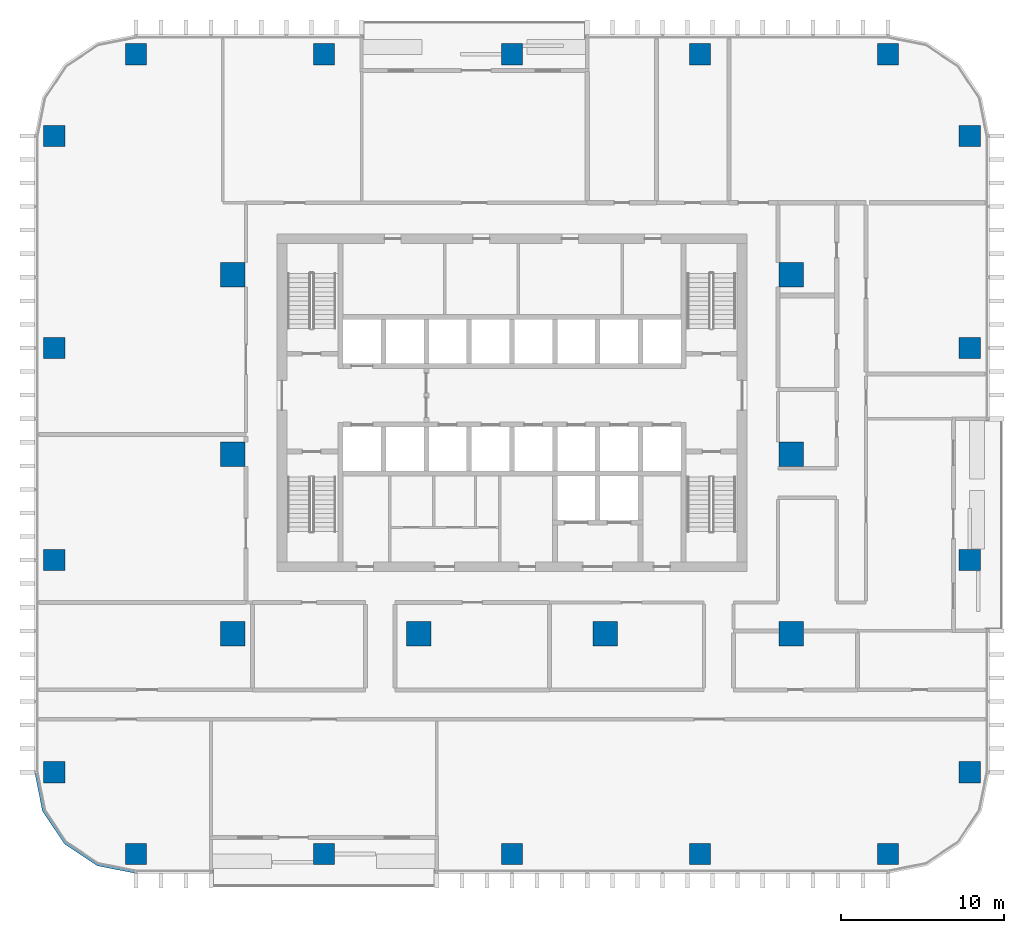
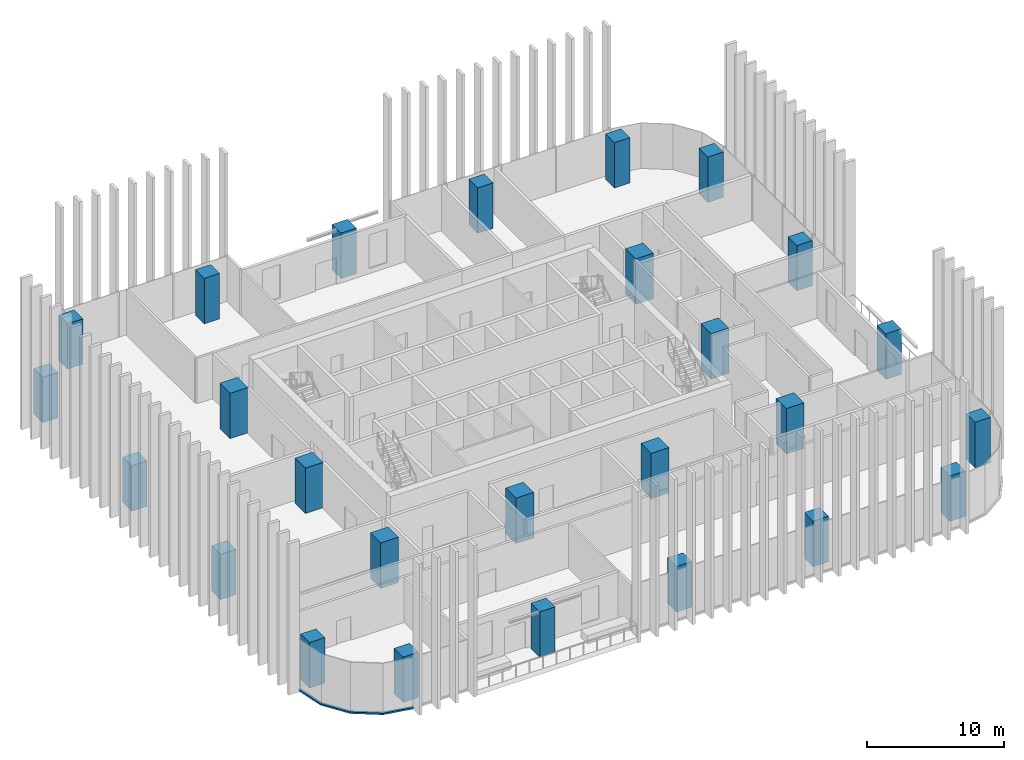
# One storey, part 1 of 17: 26 columns, 1 member, 1 element without a shape of its own.
"""IFC4 building model written with IfcOpenShell, lengths in metres."""

from ifc_helpers import new_model, si_unit, direction, frame, origin, origin_2d, place, context, subcontext, project, spatial, polyline, rectangle, outline, extrude, material, material_profile, profile_set, type_object, element, aggregate, save


model = new_model("IFC4")

# Units and contexts
model_context = context("Model", 3, precision=1e-05, world=origin(), true_north=direction((0.0, 1.0)))
body_context = subcontext(model_context, "Body", "Model", "MODEL_VIEW")
ifc_project = project(units=[si_unit("LENGTHUNIT", "METRE"), si_unit("AREAUNIT", "SQUARE_METRE"), si_unit("VOLUMEUNIT", "CUBIC_METRE"), si_unit("PLANEANGLEUNIT", "RADIAN"), si_unit("MASSUNIT", "GRAM", prefix="KILO")], contexts=[model_context])

# Site, building, storey
site_placement = place(None, origin())
site = spatial("IfcSite", under=ifc_project, at=site_placement, CompositionType="ELEMENT")
building_placement = place(site_placement, origin())
building = spatial("IfcBuilding", under=site, at=building_placement, Name="Mopane Tessera Tower", CompositionType="ELEMENT")
storey_placement = place(building_placement, frame((0.0, 0.0, 121.60009765625)))
storey = spatial("IfcBuildingStorey", under=building, at=storey_placement, Name="L24", CompositionType="ELEMENT", Elevation=121.60009765625)

# Columns
ifc_material_1 = material(Name="Concrete C60/75", Category="concrete")
ifc_material_profile_1 = material_profile(ifc_material_1, rectangle(XDim=1.5, YDim=1.5, at=origin_2d()))
ifc_profile_set_1 = profile_set([ifc_material_profile_1], Name="Concrete C60/75")
column_type_1 = type_object("IfcColumnType", Name="Interior column 1500 x 1500 C60/75", PredefinedType="COLUMN", material=ifc_profile_set_1)
for number, where, z_axis, x_axis, name in (
    (1, (-17.10009765625, -11.0, 0.0), (0.0, 0.0, 1.0), (1.0, 0.0, 0.0), "Interior column I1A L24"),
    (2, (-17.10009765625, 0.0, 0.0), (0.0, 0.0, 1.0), (1.0, 0.0, 0.0), "Interior column I1B L24"),
    (3, (-17.10009765625, 11.0, 0.0), (0.0, 0.0, 1.0), (1.0, 0.0, 0.0), "Interior column I1C L24"),
    (4, (-5.699951171875, -11.0, 0.0), (0.0, 0.0, 1.0), (1.0, 0.0, 0.0), "Interior column I2A L24"),
    (5, (5.699951171875, -11.0, 0.0), (0.0, 0.0, 1.0), (1.0, 0.0, 0.0), "Interior column I3A L24"),
    (6, (17.10009765625, -11.0, 0.0), (0.0, 0.0, 1.0), (1.0, 0.0, 0.0), "Interior column I4A L24"),
    (7, (17.10009765625, 0.0, 0.0), (0.0, 0.0, 1.0), (1.0, 0.0, 0.0), "Interior column I4B L24"),
    (8, (17.10009765625, 11.0, 0.0), (0.0, 0.0, 1.0), (1.0, 0.0, 0.0), "Interior column I4C L24"),
):
    element("IfcColumn", number, at=place(storey_placement, frame(where, z_axis=z_axis, x_axis=x_axis)), inside=storey, type_object=column_type_1, Name=name, PredefinedType="COLUMN", context=body_context, shape_type="SweptSolid", body=[
        extrude(rectangle(XDim=1.5, YDim=1.5, at=origin_2d()), origin(), (0.0, 0.0, 1.0), 4.0498046875),
    ])
ifc_material_2 = material(Name="Concrete C60/75", Category="concrete")
ifc_material_profile_2 = material_profile(ifc_material_2, rectangle(XDim=1.300048828125, YDim=1.300048828125, at=origin_2d()))
ifc_profile_set_2 = profile_set([ifc_material_profile_2], Name="Concrete C60/75")
column_type_2 = type_object("IfcColumnType", Name="Ring column 1300 x 1300 C60/75", PredefinedType="COLUMN", material=ifc_profile_set_2)
for number, where, z_axis, x_axis, name in (
    (9, (-23.050048828125, -24.5, 0.0), (0.0, 0.0, 1.0), (1.0, 0.0, 0.0), "Ring column S0 L24"),
    (10, (-11.52490234375, -24.5, 0.0), (0.0, 0.0, 1.0), (1.0, 0.0, 0.0), "Ring column S1 L24"),
    (11, (0.0, -24.5, 0.0), (0.0, 0.0, 1.0), (1.0, 0.0, 0.0), "Ring column S2 L24"),
    (12, (11.52490234375, -24.5, 0.0), (0.0, 0.0, 1.0), (1.0, 0.0, 0.0), "Ring column S3 L24"),
    (13, (23.050048828125, -24.5, 0.0), (0.0, 0.0, 1.0), (1.0, 0.0, 0.0), "Ring column S4 L24"),
    (14, (28.050048828125, -19.5, 0.0), (0.0, 0.0, 1.0), (1.0, 0.0, 0.0), "Ring column E0 L24"),
    (15, (28.050048828125, -6.5, 0.0), (0.0, 0.0, 1.0), (1.0, 0.0, 0.0), "Ring column E1 L24"),
    (16, (28.050048828125, 6.5, 0.0), (0.0, 0.0, 1.0), (1.0, 0.0, 0.0), "Ring column E2 L24"),
    (17, (28.050048828125, 19.5, 0.0), (0.0, 0.0, 1.0), (1.0, 0.0, 0.0), "Ring column E3 L24"),
    (18, (23.050048828125, 24.5, 0.0), (0.0, 0.0, 1.0), (1.0, 0.0, 0.0), "Ring column N0 L24"),
    (19, (11.52490234375, 24.5, 0.0), (0.0, 0.0, 1.0), (1.0, 0.0, 0.0), "Ring column N1 L24"),
    (20, (0.0, 24.5, 0.0), (0.0, 0.0, 1.0), (1.0, 0.0, 0.0), "Ring column N2 L24"),
    (21, (-11.52490234375, 24.5, 0.0), (0.0, 0.0, 1.0), (1.0, 0.0, 0.0), "Ring column N3 L24"),
    (22, (-23.050048828125, 24.5, 0.0), (0.0, 0.0, 1.0), (1.0, 0.0, 0.0), "Ring column N4 L24"),
    (23, (-28.050048828125, 19.5, 0.0), (0.0, 0.0, 1.0), (1.0, 0.0, 0.0), "Ring column W0 L24"),
    (24, (-28.050048828125, 6.5, 0.0), (0.0, 0.0, 1.0), (1.0, 0.0, 0.0), "Ring column W1 L24"),
    (25, (-28.050048828125, -6.5, 0.0), (0.0, 0.0, 1.0), (1.0, 0.0, 0.0), "Ring column W2 L24"),
    (26, (-28.050048828125, -19.5, 0.0), (0.0, 0.0, 1.0), (1.0, 0.0, 0.0), "Ring column W3 L24"),
):
    element("IfcColumn", number, at=place(storey_placement, frame(where, z_axis=z_axis, x_axis=x_axis)), inside=storey, type_object=column_type_2, Name=name, PredefinedType="COLUMN", context=body_context, shape_type="SweptSolid", body=[
        extrude(rectangle(XDim=1.300048828125, YDim=1.300048828125, at=origin_2d()), origin(), (0.0, 0.0, 1.0), 4.0498046875),
    ])

# Curtain wall, member
ifc_material_3 = material(Name="Aluminium frame", Category="aluminium")
curtain_wall_type = type_object("IfcCurtainWallType", Name="Lower tower unitised wall", PredefinedType="NOTDEFINED", material=ifc_material_3)
curtain_wall_placement = place(storey_placement, origin())
curtain_wall = element("IfcCurtainWall", 27, at=curtain_wall_placement, inside=storey, type_object=curtain_wall_type, Name="e:cw:L24:CW", PredefinedType="NOTDEFINED")
ifc_material_4 = material(Name="Aluminium frame", Category="aluminium")
ifc_material_profile_3 = material_profile(ifc_material_4, rectangle(XDim=0.199951171875, YDim=0.139892578125, at=origin_2d()))
ifc_profile_set_3 = profile_set([ifc_material_profile_3], Name="Aluminium frame")
member_type = type_object("IfcMemberType", Name="Aluminium transom 200 x 140", PredefinedType="USERDEFINED", material=ifc_profile_set_3)
member_placement = place(storey_placement, frame((0.0, 0.0, -0.4501953125)))
member = element("IfcMember", 28, at=member_placement, type_object=member_type, Name="e:cw:L24:CW:tr", ObjectType="TRANSOM", PredefinedType="USERDEFINED", context=body_context, shape_type="SweptSolid", body=[
    extrude(outline(polyline([(-29.050048828125, -19.5), (-28.59326171875, -21.796142578125), (-27.292724609375, -23.74267578125), (-25.34619140625, -25.043212890625), (-23.050048828125, -25.5), (-23.050048828125, -25.699951171875), (-25.422607421875, -25.22802734375), (-27.43408203125, -23.884033203125), (-28.778076171875, -21.87255859375), (-29.25, -19.5), (-29.050048828125, -19.5)])), origin(), (0.0, 0.0, 1.0), 0.14013671875),
])
aggregate(curtain_wall, [member])

save(model, "model.ifc")
